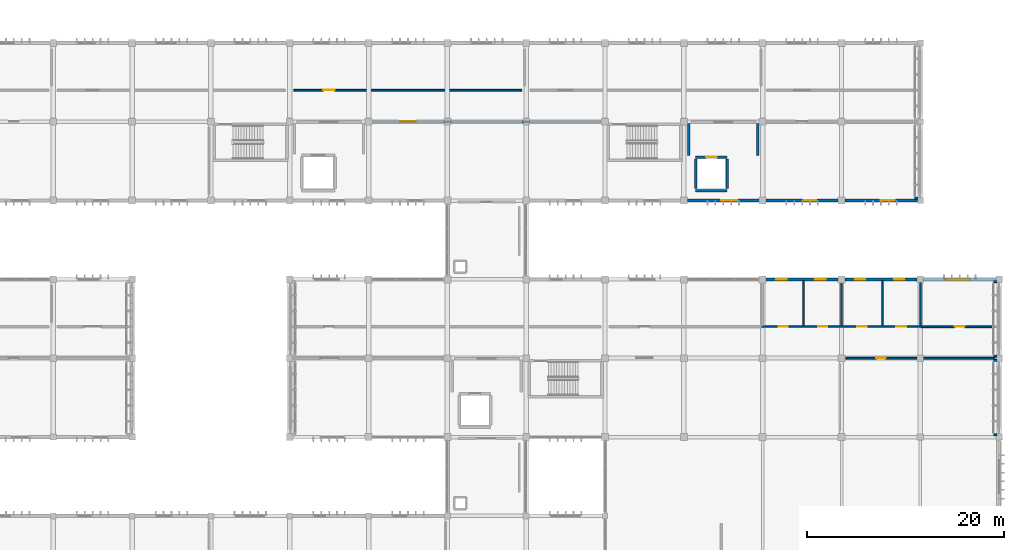
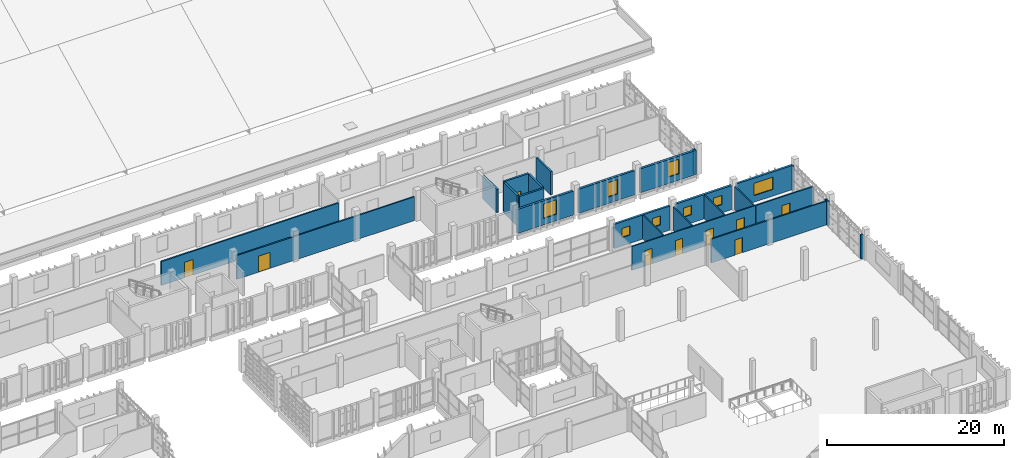
# One storey, part 120 of 137: 26 walls, 9 doors, 8 windows, 17 openings.
"""IFC4 building model written with IfcOpenShell, lengths in metres."""

from ifc_helpers import new_model, si_unit, direction, frame, frame_2d, origin, place, context, subcontext, project, spatial, rectangle, extrude, material, layer, layer_set, type_object, element, fill, save


model = new_model("IFC4")

# Units and contexts
model_context = context("Model", 3, precision=1e-05, world=origin(), true_north=direction((0.0, 1.0)))
body_context = subcontext(model_context, "Body", "Model", "MODEL_VIEW")
ifc_project = project(units=[si_unit("LENGTHUNIT", "METRE"), si_unit("AREAUNIT", "SQUARE_METRE"), si_unit("VOLUMEUNIT", "CUBIC_METRE"), si_unit("PLANEANGLEUNIT", "RADIAN"), si_unit("MASSUNIT", "GRAM", prefix="KILO")], contexts=[model_context])

# Site, building, storey
site_placement = place(None, origin())
site = spatial("IfcSite", under=ifc_project, at=site_placement, CompositionType="ELEMENT")
building_placement = place(site_placement, origin())
building = spatial("IfcBuilding", under=site, at=building_placement, Name="Jelvoka-Kovrelna Polytechnic", CompositionType="ELEMENT")
storey_placement = place(building_placement, frame((0.0, 0.0, 9.60009765625)))
storey = spatial("IfcBuildingStorey", under=building, at=storey_placement, Name="L03", CompositionType="ELEMENT", Elevation=9.60009765625)

# Walls
ifc_material_1 = material(Name="Concrete C35/45", Category="concrete")
ifc_layer_1 = layer(ifc_material_1, 0.219970703125)
ifc_layer_set_1 = layer_set([ifc_layer_1], Name="Concrete C35/45")
wall_type_1 = type_object("IfcWallType", Name="Wall_Compartment_220", PredefinedType="PARTITIONING", material=ifc_layer_set_1)
for number, where, z_axis, x_axis, name in (
    (1, (168.5, 60.550048828125, 0.0), (0.0, 0.0, 1.0), (0.0, 1.0, 0.0), "L03 interior wall 0354"),
    (2, (175.5, 60.550048828125, 0.0), (0.0, 0.0, 1.0), (0.0, 1.0, 0.0), "L03 interior wall 0355"),
):
    element("IfcWall", number, at=place(storey_placement, frame(where, z_axis=z_axis, x_axis=x_axis)), inside=storey, type_object=wall_type_1, Name=name, PredefinedType="PARTITIONING", context=body_context, shape_type="SweptSolid", body=[
        extrude(rectangle(XDim=3.25, YDim=0.219970703125, at=frame_2d((1.625, 0.0))), origin(), (0.0, 0.0, 1.0), 3.224853515625),
    ])
ifc_material_2 = material(Name="Concrete C40/50", Category="concrete")
ifc_layer_2 = layer(ifc_material_2, 0.25)
ifc_layer_set_2 = layer_set([ifc_layer_2], Name="Concrete C40/50")
wall_type_2 = type_object("IfcWallType", Name="Wall_Core_250", PredefinedType="SOLIDWALL", material=ifc_layer_set_2)
wall_1_placement = place(storey_placement, frame((169.199951171875, 57.0, 0.0), z_axis=(0.0, 0.0, 1.0), x_axis=(1.0, 0.0, 0.0)))
element("IfcWall", 3, at=wall_1_placement, inside=storey, type_object=wall_type_2, Name="L03 interior wall 0349", PredefinedType="SOLIDWALL", context=body_context, shape_type="SweptSolid", body=[
    extrude(rectangle(XDim=3.199951171875, YDim=0.25, at=frame_2d((1.60009765625, 0.0))), origin(), (0.0, 0.0, 1.0), 4.199951171875),
])

# Wall, opening, door
wall_2_placement = place(storey_placement, frame((169.199951171875, 60.39990234375, 0.0), z_axis=(0.0, 0.0, 1.0), x_axis=(1.0, 0.0, 0.0)))
wall_2 = element("IfcWall", 4, at=wall_2_placement, inside=storey, type_object=wall_type_2, Name="L03 interior wall 0350", PredefinedType="SOLIDWALL", context=body_context, shape_type="SweptSolid", body=[
    extrude(rectangle(XDim=3.199951171875, YDim=0.25, at=frame_2d((1.60009765625, 0.0))), origin(), (0.0, 0.0, 1.0), 4.199951171875),
])
opening_1_placement = place(wall_2_placement, frame((1.050048828125, 0.0, 0.0)))
opening_1 = element("IfcOpeningElement", 5, at=opening_1_placement, cuts=wall_2, Name="Opening LD-L03-13", PredefinedType="OPENING", context=body_context, shape_type="SweptSolid", body=[
    extrude(rectangle(XDim=1.10009765625, YDim=2.14990234375, at=frame_2d((0.550048828125, 1.074951171875))), frame((0.0, 0.135009765625, 0.0), z_axis=(0.0, -1.0, 0.0), x_axis=(1.0, 0.0, 0.0)), (0.0, 0.0, 1.0), 0.27001953125),
])
ifc_material_3 = material(Name="Brushed stainless steel sliding landing door", Category="steel")
door_type_1 = type_object("IfcDoorType", Name="Door_Lift_LD01", OperationType="NOTDEFINED", PredefinedType="DOOR", material=ifc_material_3)
door_1_placement = place(opening_1_placement, origin())
door_1 = element("IfcDoor", 6, at=door_1_placement, inside=storey, type_object=door_type_1, Name="L03 lift landing sliding door LD-L03-13", OperationType="DOUBLE_DOOR_SLIDING", OverallHeight=2.14990234375, OverallWidth=1.10009765625, PredefinedType="DOOR", context=body_context, shape_type="SweptSolid", body=[
    extrude(rectangle(XDim=1.10009765625, YDim=2.14990234375, at=frame_2d((0.550048828125, 1.074951171875))), frame((0.0, 0.02490234375, 0.0), z_axis=(0.0, -1.0, 0.0), x_axis=(1.0, 0.0, 0.0)), (0.0, 0.0, 1.0), 0.050048828125),
])
fill(opening_1, door_1)

# Walls
for number, where, z_axis, x_axis, name in (
    (7, (169.199951171875, 57.199951171875, 0.0), (0.0, 0.0, 1.0), (0.0, 1.0, 0.0), "L03 interior wall 0351"),
    (8, (172.39990234375, 57.199951171875, 0.0), (0.0, 0.0, 1.0), (0.0, 1.0, 0.0), "L03 interior wall 0352"),
):
    element("IfcWall", number, at=place(storey_placement, frame(where, z_axis=z_axis, x_axis=x_axis)), inside=storey, type_object=wall_type_2, Name=name, PredefinedType="SOLIDWALL", context=body_context, shape_type="SweptSolid", body=[
        extrude(rectangle(XDim=3.0, YDim=0.25, at=frame_2d((1.5, 0.0))), origin(), (0.0, 0.0, 1.0), 4.199951171875),
    ])

# Wall, opening, door
ifc_material_4 = material(Name="Autoclaved aerated concrete blockwork", Category="masonry")
ifc_layer_3 = layer(ifc_material_4, 0.179931640625)
ifc_layer_set_3 = layer_set([ifc_layer_3], Name="Autoclaved aerated concrete blockwork")
wall_type_3 = type_object("IfcWallType", Name="Wall_Corridor_180", PredefinedType="PARTITIONING", material=ifc_layer_set_3)
wall_3_placement = place(storey_placement, frame((184.429931640625, 40.0, 0.0), z_axis=(0.0, 0.0, 1.0), x_axis=(1.0, 0.0, 0.0)))
wall_3 = element("IfcWall", 9, at=wall_3_placement, inside=storey, type_object=wall_type_3, Name="L03 interior wall 1059", PredefinedType="PARTITIONING", context=body_context, shape_type="SweptSolid", body=[
    extrude(rectangle(XDim=15.14013671875, YDim=0.179931640625, at=frame_2d((7.570068359375, 0.0))), origin(), (0.0, 0.0, 1.0), 3.27490234375),
])
opening_2_placement = place(wall_3_placement, frame((3.10009765625, 0.0, 0.0)))
opening_2 = element("IfcOpeningElement", 10, at=opening_2_placement, cuts=wall_3, Name="Opening D-L03-297", PredefinedType="OPENING", context=body_context, shape_type="SweptSolid", body=[
    extrude(rectangle(XDim=0.93994140625, YDim=2.10009765625, at=frame_2d((0.469970703125, 1.050048828125))), frame((0.0, 0.099853515625, 0.0), z_axis=(0.0, -1.0, 0.0), x_axis=(1.0, 0.0, 0.0)), (0.0, 0.0, 1.0), 0.199951171875),
])
ifc_material_5 = material(Name="Hardwood solid-core door", Category="wood")
door_type_2 = type_object("IfcDoorType", Name="Door_Int_D02", OperationType="NOTDEFINED", PredefinedType="DOOR", material=ifc_material_5)
door_2_placement = place(opening_2_placement, origin())
door_2 = element("IfcDoor", 11, at=door_2_placement, inside=storey, type_object=door_type_2, Name="L03 interior door D-L03-297", OperationType="SINGLE_SWING_RIGHT", OverallHeight=2.10009765625, OverallWidth=0.93994140625, PredefinedType="DOOR", context=body_context, shape_type="SweptSolid", body=[
    extrude(rectangle(XDim=0.93994140625, YDim=2.10009765625, at=frame_2d((0.469970703125, 1.050048828125))), frame((0.0, 0.02490234375, 0.0), z_axis=(0.0, -1.0, 0.0), x_axis=(1.0, 0.0, 0.0)), (0.0, 0.0, 1.0), 0.050048828125),
])
fill(opening_2, door_2)

wall_4_placement = place(storey_placement, frame((192.074951171875, 43.199951171875, 0.0), z_axis=(0.0, 0.0, 1.0), x_axis=(1.0, 0.0, 0.0)))
wall_4 = element("IfcWall", 12, at=wall_4_placement, inside=storey, type_object=wall_type_3, Name="L03 interior wall 1062", PredefinedType="PARTITIONING", context=body_context, shape_type="SweptSolid", body=[
    extrude(rectangle(XDim=7.4951171875, YDim=0.179931640625, at=frame_2d((3.74755859375, 0.0))), origin(), (0.0, 0.0, 1.0), 3.2998046875),
])
opening_3_placement = place(wall_4_placement, frame((3.39501953125, 0.0, 0.0)))
opening_3 = element("IfcOpeningElement", 13, at=opening_3_placement, cuts=wall_4, Name="Opening D-L03-300", PredefinedType="OPENING", context=body_context, shape_type="SweptSolid", body=[
    extrude(rectangle(XDim=1.06005859375, YDim=2.10009765625, at=frame_2d((0.530029296875, 1.050048828125))), frame((0.0, 0.099853515625, 0.0), z_axis=(0.0, -1.0, 0.0), x_axis=(1.0, 0.0, 0.0)), (0.0, 0.0, 1.0), 0.199951171875),
])
ifc_material_6 = material(Name="Hardwood solid-core door", Category="wood")
door_type_3 = type_object("IfcDoorType", Name="Door_Int_D05", OperationType="NOTDEFINED", PredefinedType="DOOR", material=ifc_material_6)
door_3_placement = place(opening_3_placement, origin())
door_3 = element("IfcDoor", 14, at=door_3_placement, inside=storey, type_object=door_type_3, Name="L03 interior door D-L03-300", OperationType="SINGLE_SWING_LEFT", OverallHeight=2.10009765625, OverallWidth=1.06005859375, PredefinedType="DOOR", context=body_context, shape_type="SweptSolid", body=[
    extrude(rectangle(XDim=1.06005859375, YDim=2.10009765625, at=frame_2d((0.530029296875, 1.050048828125))), frame((0.0, 0.02490234375, 0.0), z_axis=(0.0, -1.0, 0.0), x_axis=(1.0, 0.0, 0.0)), (0.0, 0.0, 1.0), 0.050048828125),
])
fill(opening_3, door_3)

wall_5_placement = place(storey_placement, frame((136.429931640625, 64.0, 0.0), z_axis=(0.0, 0.0, 1.0), x_axis=(1.0, 0.0, 0.0)))
wall_5 = element("IfcWall", 15, at=wall_5_placement, inside=storey, type_object=wall_type_3, Name="L03 interior wall 1066", PredefinedType="PARTITIONING", context=body_context, shape_type="SweptSolid", body=[
    extrude(rectangle(XDim=23.14013671875, YDim=0.179931640625, at=frame_2d((11.570068359375, 0.0))), origin(), (0.0, 0.0, 1.0), 3.27490234375),
])
opening_4_placement = place(wall_5_placement, frame((2.800048828125, 0.0, 0.0)))
opening_4 = element("IfcOpeningElement", 16, at=opening_4_placement, cuts=wall_5, Name="Opening D-L03-303", PredefinedType="OPENING", context=body_context, shape_type="SweptSolid", body=[
    extrude(rectangle(XDim=1.5400390625, YDim=2.199951171875, at=frame_2d((0.77001953125, 1.10009765625))), frame((0.0, 0.099853515625, 0.0), z_axis=(0.0, -1.0, 0.0), x_axis=(1.0, 0.0, 0.0)), (0.0, 0.0, 1.0), 0.199951171875),
])
ifc_material_7 = material(Name="Paired hardwood fire-resisting library door", Category="wood")
door_type_4 = type_object("IfcDoorType", Name="Door_Fire_FD30_07", OperationType="NOTDEFINED", PredefinedType="DOOR", material=ifc_material_7)
door_4_placement = place(opening_4_placement, origin())
door_4 = element("IfcDoor", 17, at=door_4_placement, inside=storey, type_object=door_type_4, Name="L03 interior door D-L03-303", OperationType="DOUBLE_DOOR_SINGLE_SWING", OverallHeight=2.199951171875, OverallWidth=1.5400390625, PredefinedType="DOOR", context=body_context, shape_type="SweptSolid", body=[
    extrude(rectangle(XDim=1.5400390625, YDim=2.199951171875, at=frame_2d((0.77001953125, 1.10009765625))), frame((0.0, 0.02490234375, 0.0), z_axis=(0.0, -1.0, 0.0), x_axis=(1.0, 0.0, 0.0)), (0.0, 0.0, 1.0), 0.050048828125),
])
fill(opening_4, door_4)

wall_6_placement = place(storey_placement, frame((128.429931640625, 67.199951171875, 0.0), z_axis=(0.0, 0.0, 1.0), x_axis=(1.0, 0.0, 0.0)))
wall_6 = element("IfcWall", 18, at=wall_6_placement, inside=storey, type_object=wall_type_3, Name="L03 interior wall 1072", PredefinedType="PARTITIONING", context=body_context, shape_type="SweptSolid", body=[
    extrude(rectangle(XDim=23.14013671875, YDim=0.179931640625, at=frame_2d((11.570068359375, 0.0))), origin(), (0.0, 0.0, 1.0), 3.2998046875),
])
opening_5_placement = place(wall_6_placement, frame((2.9951171875, 0.0, 0.0)))
opening_5 = element("IfcOpeningElement", 19, at=opening_5_placement, cuts=wall_6, Name="Opening D-L03-308", PredefinedType="OPENING", context=body_context, shape_type="SweptSolid", body=[
    extrude(rectangle(XDim=1.14990234375, YDim=2.14990234375, at=frame_2d((0.574951171875, 1.074951171875))), frame((0.0, 0.099853515625, 0.0), z_axis=(0.0, -1.0, 0.0), x_axis=(1.0, 0.0, 0.0)), (0.0, 0.0, 1.0), 0.199951171875),
])
ifc_material_8 = material(Name="Hardwood fire-resisting laboratory door", Category="wood")
door_type_5 = type_object("IfcDoorType", Name="Door_Fire_FD30_03", OperationType="NOTDEFINED", PredefinedType="DOOR", material=ifc_material_8)
door_5_placement = place(opening_5_placement, origin())
door_5 = element("IfcDoor", 20, at=door_5_placement, inside=storey, type_object=door_type_5, Name="L03 interior door D-L03-308", OperationType="SINGLE_SWING_LEFT", OverallHeight=2.14990234375, OverallWidth=1.14990234375, PredefinedType="DOOR", context=body_context, shape_type="SweptSolid", body=[
    extrude(rectangle(XDim=1.14990234375, YDim=2.14990234375, at=frame_2d((0.574951171875, 1.074951171875))), frame((0.0, 0.02490234375, 0.0), z_axis=(0.0, -1.0, 0.0), x_axis=(1.0, 0.0, 0.0)), (0.0, 0.0, 1.0), 0.050048828125),
])
fill(opening_5, door_5)

# Wall, openings, windows
ifc_material_9 = material(Name="Precast concrete C40/50", Category="concrete")
ifc_layer_4 = layer(ifc_material_9, 0.280029296875)
ifc_layer_set_4 = layer_set([ifc_layer_4], Name="Precast concrete C40/50")
wall_type_4 = type_object("IfcWallType", Name="Wall_Ext_White_280", PredefinedType="STANDARD", material=ifc_layer_set_4)
wall_7_placement = place(storey_placement, frame((176.346923828125, 48.0, 0.0), z_axis=(0.0, 0.0, 1.0), x_axis=(1.0, 0.0, 0.0)))
wall_7 = element("IfcWall", 21, at=wall_7_placement, inside=storey, type_object=wall_type_4, Name="L03 exterior wall 0480", PredefinedType="STANDARD", context=body_context, shape_type="SweptSolid", body=[
    extrude(rectangle(XDim=7.30615234375, YDim=0.280029296875, at=frame_2d((3.653076171875, 0.0))), origin(), (0.0, 0.0, 1.0), 3.324951171875),
])
opening_6_placement = place(wall_7_placement, frame((1.032958984375, 0.0, 1.14990234375)))
opening_6 = element("IfcOpeningElement", 22, at=opening_6_placement, cuts=wall_7, Name="Opening W-L03-191", PredefinedType="OPENING", context=body_context, shape_type="SweptSolid", body=[
    extrude(rectangle(XDim=1.050048828125, YDim=1.25, at=frame_2d((0.52490234375, 0.625))), frame((0.0, 0.150146484375, 0.0), z_axis=(0.0, -1.0, 0.0), x_axis=(1.0, 0.0, 0.0)), (0.0, 0.0, 1.0), 0.300048828125),
])
opening_7_placement = place(wall_7_placement, frame((4.98291015625, 0.0, 1.14990234375)))
opening_7 = element("IfcOpeningElement", 23, at=opening_7_placement, cuts=wall_7, Name="Opening W-L03-192", PredefinedType="OPENING", context=body_context, shape_type="SweptSolid", body=[
    extrude(rectangle(XDim=1.050048828125, YDim=1.25, at=frame_2d((0.52490234375, 0.625))), frame((0.0, 0.150146484375, 0.0), z_axis=(0.0, -1.0, 0.0), x_axis=(1.0, 0.0, 0.0)), (0.0, 0.0, 1.0), 0.300048828125),
])
ifc_material_10 = material(Name="Thermally broken anodised aluminium and low-e glazing", Category="aluminium")
window_type_1 = type_object("IfcWindowType", Name="Win_Casement_W01", PartitioningType="SINGLE_PANEL", PredefinedType="WINDOW", material=ifc_material_10)
window_1_placement = place(opening_6_placement, origin())
window_1 = element("IfcWindow", 24, at=window_1_placement, inside=storey, type_object=window_type_1, Name="L03 aluminium casement window W-L03-191", OverallHeight=1.25, OverallWidth=1.050048828125, PartitioningType="SINGLE_PANEL", PredefinedType="WINDOW", context=body_context, shape_type="SweptSolid", body=[
    extrude(rectangle(XDim=1.050048828125, YDim=1.25, at=frame_2d((0.52490234375, 0.625))), frame((0.0, 0.030029296875, 0.0), z_axis=(0.0, -1.0, 0.0), x_axis=(1.0, 0.0, 0.0)), (0.0, 0.0, 1.0), 0.06005859375),
])
fill(opening_6, window_1)
window_2_placement = place(opening_7_placement, origin())
window_2 = element("IfcWindow", 25, at=window_2_placement, inside=storey, type_object=window_type_1, Name="L03 aluminium casement window W-L03-192", OverallHeight=1.25, OverallWidth=1.050048828125, PartitioningType="SINGLE_PANEL", PredefinedType="WINDOW", context=body_context, shape_type="SweptSolid", body=[
    extrude(rectangle(XDim=1.050048828125, YDim=1.25, at=frame_2d((0.52490234375, 0.625))), frame((0.0, 0.030029296875, 0.0), z_axis=(0.0, -1.0, 0.0), x_axis=(1.0, 0.0, 0.0)), (0.0, 0.0, 1.0), 0.06005859375),
])
fill(opening_7, window_2)

wall_8_placement = place(storey_placement, frame((184.346923828125, 48.0, 0.0), z_axis=(0.0, 0.0, 1.0), x_axis=(1.0, 0.0, 0.0)))
wall_8 = element("IfcWall", 26, at=wall_8_placement, inside=storey, type_object=wall_type_4, Name="L03 exterior wall 0481", PredefinedType="STANDARD", context=body_context, shape_type="SweptSolid", body=[
    extrude(rectangle(XDim=7.3310546875, YDim=0.280029296875, at=frame_2d((3.66552734375, 0.0))), origin(), (0.0, 0.0, 1.0), 3.324951171875),
])
opening_8_placement = place(wall_8_placement, frame((1.032958984375, 0.0, 1.14990234375)))
opening_8 = element("IfcOpeningElement", 27, at=opening_8_placement, cuts=wall_8, Name="Opening W-L03-193", PredefinedType="OPENING", context=body_context, shape_type="SweptSolid", body=[
    extrude(rectangle(XDim=1.050048828125, YDim=1.25, at=frame_2d((0.52490234375, 0.625))), frame((0.0, 0.150146484375, 0.0), z_axis=(0.0, -1.0, 0.0), x_axis=(1.0, 0.0, 0.0)), (0.0, 0.0, 1.0), 0.300048828125),
])
opening_9_placement = place(wall_8_placement, frame((4.98291015625, 0.0, 1.14990234375)))
opening_9 = element("IfcOpeningElement", 28, at=opening_9_placement, cuts=wall_8, Name="Opening W-L03-194", PredefinedType="OPENING", context=body_context, shape_type="SweptSolid", body=[
    extrude(rectangle(XDim=1.050048828125, YDim=1.25, at=frame_2d((0.52490234375, 0.625))), frame((0.0, 0.150146484375, 0.0), z_axis=(0.0, -1.0, 0.0), x_axis=(1.0, 0.0, 0.0)), (0.0, 0.0, 1.0), 0.300048828125),
])
window_3_placement = place(opening_8_placement, origin())
window_3 = element("IfcWindow", 29, at=window_3_placement, inside=storey, type_object=window_type_1, Name="L03 aluminium casement window W-L03-193", OverallHeight=1.25, OverallWidth=1.050048828125, PartitioningType="SINGLE_PANEL", PredefinedType="WINDOW", context=body_context, shape_type="SweptSolid", body=[
    extrude(rectangle(XDim=1.050048828125, YDim=1.25, at=frame_2d((0.52490234375, 0.625))), frame((0.0, 0.030029296875, 0.0), z_axis=(0.0, -1.0, 0.0), x_axis=(1.0, 0.0, 0.0)), (0.0, 0.0, 1.0), 0.06005859375),
])
fill(opening_8, window_3)
window_4_placement = place(opening_9_placement, origin())
window_4 = element("IfcWindow", 30, at=window_4_placement, inside=storey, type_object=window_type_1, Name="L03 aluminium casement window W-L03-194", OverallHeight=1.25, OverallWidth=1.050048828125, PartitioningType="SINGLE_PANEL", PredefinedType="WINDOW", context=body_context, shape_type="SweptSolid", body=[
    extrude(rectangle(XDim=1.050048828125, YDim=1.25, at=frame_2d((0.52490234375, 0.625))), frame((0.0, 0.030029296875, 0.0), z_axis=(0.0, -1.0, 0.0), x_axis=(1.0, 0.0, 0.0)), (0.0, 0.0, 1.0), 0.06005859375),
])
fill(opening_9, window_4)

# Wall, opening, window
wall_9_placement = place(storey_placement, frame((192.322021484375, 48.0, 0.0), z_axis=(0.0, 0.0, 1.0), x_axis=(1.0, 0.0, 0.0)))
wall_9 = element("IfcWall", 31, at=wall_9_placement, inside=storey, type_object=wall_type_4, Name="L03 exterior wall 0482", PredefinedType="STANDARD", context=body_context, shape_type="SweptSolid", body=[
    extrude(rectangle(XDim=7.35595703125, YDim=0.280029296875, at=frame_2d((3.677978515625, 0.0))), origin(), (0.0, 0.0, 1.0), 3.324951171875),
])
opening_10_placement = place(wall_9_placement, frame((2.258056640625, 0.0, 0.89990234375)))
opening_10 = element("IfcOpeningElement", 32, at=opening_10_placement, cuts=wall_9, Name="Opening W-L03-195", PredefinedType="OPENING", context=body_context, shape_type="SweptSolid", body=[
    extrude(rectangle(XDim=2.449951171875, YDim=1.699951171875, at=frame_2d((1.22509765625, 0.85009765625))), frame((0.0, 0.150146484375, 0.0), z_axis=(0.0, -1.0, 0.0), x_axis=(1.0, 0.0, 0.0)), (0.0, 0.0, 1.0), 0.300048828125),
])
ifc_material_11 = material(Name="Thermally broken anodised aluminium and low-e glazing", Category="aluminium")
window_type_2 = type_object("IfcWindowType", Name="Win_Casement_W38", PartitioningType="DOUBLE_PANEL_VERTICAL", PredefinedType="WINDOW", material=ifc_material_11)
window_5_placement = place(opening_10_placement, origin())
window_5 = element("IfcWindow", 33, at=window_5_placement, inside=storey, type_object=window_type_2, Name="L03 aluminium casement window W-L03-195", OverallHeight=1.699951171875, OverallWidth=2.449951171875, PartitioningType="DOUBLE_PANEL_VERTICAL", PredefinedType="WINDOW", context=body_context, shape_type="SweptSolid", body=[
    extrude(rectangle(XDim=2.449951171875, YDim=1.699951171875, at=frame_2d((1.22509765625, 0.85009765625))), frame((0.0, 0.030029296875, 0.0), z_axis=(0.0, -1.0, 0.0), x_axis=(1.0, 0.0, 0.0)), (0.0, 0.0, 1.0), 0.06005859375),
])
fill(opening_10, window_5)

wall_10_placement = place(storey_placement, frame((175.653076171875, 56.0, 0.0), z_axis=(0.0, 0.0, 1.0), x_axis=(-1.0, 0.0, 0.0)))
wall_10 = element("IfcWall", 34, at=wall_10_placement, inside=storey, type_object=wall_type_4, Name="L03 exterior wall 0665", PredefinedType="STANDARD", context=body_context, shape_type="SweptSolid", body=[
    extrude(rectangle(XDim=7.30615234375, YDim=0.280029296875, at=frame_2d((3.653076171875, 0.0))), origin(), (0.0, 0.0, 1.0), 3.324951171875),
])
opening_11_placement = place(wall_10_placement, frame((2.23291015625, 0.0, 0.89990234375)))
opening_11 = element("IfcOpeningElement", 35, at=opening_11_placement, cuts=wall_10, Name="Opening W-L03-335", PredefinedType="OPENING", context=body_context, shape_type="SweptSolid", body=[
    extrude(rectangle(XDim=1.64990234375, YDim=2.0, at=frame_2d((0.824951171875, 1.0))), frame((0.0, 0.150146484375, 0.0), z_axis=(0.0, -1.0, 0.0), x_axis=(1.0, 0.0, 0.0)), (0.0, 0.0, 1.0), 0.300048828125),
])
ifc_material_12 = material(Name="Thermally broken anodised aluminium and low-e glazing", Category="aluminium")
window_type_3 = type_object("IfcWindowType", Name="Win_Casement_W54", PartitioningType="DOUBLE_PANEL_VERTICAL", PredefinedType="WINDOW", material=ifc_material_12)
window_6_placement = place(opening_11_placement, origin())
window_6 = element("IfcWindow", 36, at=window_6_placement, inside=storey, type_object=window_type_3, Name="L03 aluminium casement window W-L03-335", OverallHeight=2.0, OverallWidth=1.64990234375, PartitioningType="DOUBLE_PANEL_VERTICAL", PredefinedType="WINDOW", context=body_context, shape_type="SweptSolid", body=[
    extrude(rectangle(XDim=1.64990234375, YDim=2.0, at=frame_2d((0.824951171875, 1.0))), frame((0.0, 0.030029296875, 0.0), z_axis=(0.0, -1.0, 0.0), x_axis=(1.0, 0.0, 0.0)), (0.0, 0.0, 1.0), 0.06005859375),
])
fill(opening_11, window_6)

wall_11_placement = place(storey_placement, frame((183.653076171875, 56.0, 0.0), z_axis=(0.0, 0.0, 1.0), x_axis=(-1.0, 0.0, 0.0)))
wall_11 = element("IfcWall", 37, at=wall_11_placement, inside=storey, type_object=wall_type_4, Name="L03 exterior wall 0667", PredefinedType="STANDARD", context=body_context, shape_type="SweptSolid", body=[
    extrude(rectangle(XDim=7.30615234375, YDim=0.280029296875, at=frame_2d((3.653076171875, 0.0))), origin(), (0.0, 0.0, 1.0), 3.324951171875),
])
opening_12_placement = place(wall_11_placement, frame((2.23291015625, 0.0, 0.89990234375)))
opening_12 = element("IfcOpeningElement", 38, at=opening_12_placement, cuts=wall_11, Name="Opening W-L03-337", PredefinedType="OPENING", context=body_context, shape_type="SweptSolid", body=[
    extrude(rectangle(XDim=1.25, YDim=2.0, at=frame_2d((0.625, 1.0))), frame((0.0, 0.150146484375, 0.0), z_axis=(0.0, -1.0, 0.0), x_axis=(1.0, 0.0, 0.0)), (0.0, 0.0, 1.0), 0.300048828125),
])
ifc_material_13 = material(Name="Thermally broken anodised aluminium and low-e glazing", Category="aluminium")
window_type_4 = type_object("IfcWindowType", Name="Win_Casement_W52", PartitioningType="SINGLE_PANEL", PredefinedType="WINDOW", material=ifc_material_13)
window_7_placement = place(opening_12_placement, origin())
window_7 = element("IfcWindow", 39, at=window_7_placement, inside=storey, type_object=window_type_4, Name="L03 aluminium casement window W-L03-337", OverallHeight=2.0, OverallWidth=1.25, PartitioningType="SINGLE_PANEL", PredefinedType="WINDOW", context=body_context, shape_type="SweptSolid", body=[
    extrude(rectangle(XDim=1.25, YDim=2.0, at=frame_2d((0.625, 1.0))), frame((0.0, 0.030029296875, 0.0), z_axis=(0.0, -1.0, 0.0), x_axis=(1.0, 0.0, 0.0)), (0.0, 0.0, 1.0), 0.06005859375),
])
fill(opening_12, window_7)

wall_12_placement = place(storey_placement, frame((191.702880859375, 56.0, 0.0), z_axis=(0.0, 0.0, 1.0), x_axis=(-1.0, 0.0, 0.0)))
wall_12 = element("IfcWall", 40, at=wall_12_placement, inside=storey, type_object=wall_type_4, Name="L03 exterior wall 0669", PredefinedType="STANDARD", context=body_context, shape_type="SweptSolid", body=[
    extrude(rectangle(XDim=7.35595703125, YDim=0.280029296875, at=frame_2d((3.677978515625, 0.0))), origin(), (0.0, 0.0, 1.0), 3.324951171875),
])
opening_13_placement = place(wall_12_placement, frame((2.282958984375, 0.0, 0.89990234375)))
opening_13 = element("IfcOpeningElement", 41, at=opening_13_placement, cuts=wall_12, Name="Opening W-L03-339", PredefinedType="OPENING", context=body_context, shape_type="SweptSolid", body=[
    extrude(rectangle(XDim=1.449951171875, YDim=2.0, at=frame_2d((0.72509765625, 1.0))), frame((0.0, 0.150146484375, 0.0), z_axis=(0.0, -1.0, 0.0), x_axis=(1.0, 0.0, 0.0)), (0.0, 0.0, 1.0), 0.300048828125),
])
ifc_material_14 = material(Name="Thermally broken anodised aluminium and low-e glazing", Category="aluminium")
window_type_5 = type_object("IfcWindowType", Name="Win_Casement_W53", PartitioningType="SINGLE_PANEL", PredefinedType="WINDOW", material=ifc_material_14)
window_8_placement = place(opening_13_placement, origin())
window_8 = element("IfcWindow", 42, at=window_8_placement, inside=storey, type_object=window_type_5, Name="L03 aluminium casement window W-L03-339", OverallHeight=2.0, OverallWidth=1.449951171875, PartitioningType="SINGLE_PANEL", PredefinedType="WINDOW", context=body_context, shape_type="SweptSolid", body=[
    extrude(rectangle(XDim=1.449951171875, YDim=2.0, at=frame_2d((0.72509765625, 1.0))), frame((0.0, 0.030029296875, 0.0), z_axis=(0.0, -1.0, 0.0), x_axis=(1.0, 0.0, 0.0)), (0.0, 0.0, 1.0), 0.06005859375),
])
fill(opening_13, window_8)

# Walls
ifc_material_15 = material(Name="Precast concrete C40/50", Category="concrete")
ifc_layer_5 = layer(ifc_material_15, 0.199951171875)
ifc_layer_set_5 = layer_set([ifc_layer_5], Name="Precast concrete C40/50")
wall_type_5 = type_object("IfcWallType", Name="Wall_Parapet_200", PredefinedType="PARAPET", material=ifc_layer_set_5)
for number, where, z_axis, x_axis, name in (
    (43, (199.760009765625, 32.219970703125, 0.0), (0.0, 0.0, 1.0), (-1.0, 0.0, 0.0), "L03 exterior wall 0487"),
    (44, (199.760009765625, 39.780029296875, 0.0), (0.0, 0.0, 1.0), (-1.0, 0.0, 0.0), "L03 exterior wall 0488"),
    (45, (199.760009765625, 40.219970703125, 0.0), (0.0, 0.0, 1.0), (-1.0, 0.0, 0.0), "L03 exterior wall 0489"),
    (46, (199.760009765625, 47.780029296875, 0.0), (0.0, 0.0, 1.0), (-1.0, 0.0, 0.0), "L03 exterior wall 0490"),
    (47, (191.760009765625, 56.219970703125, 0.0), (0.0, 0.0, 1.0), (-1.0, 0.0, 0.0), "L03 exterior wall 0671"),
):
    element("IfcWall", number, at=place(storey_placement, frame(where, z_axis=z_axis, x_axis=x_axis)), inside=storey, type_object=wall_type_5, Name=name, PredefinedType="PARAPET", context=body_context, shape_type="SweptSolid", body=[
        extrude(rectangle(XDim=0.320068359375, YDim=0.199951171875, at=frame_2d((0.16015625, 0.0))), origin(), (0.0, 0.0, 1.0), 3.349853515625),
    ])

# Wall, openings, doors
ifc_material_16 = material(Name="Autoclaved aerated concrete blockwork", Category="masonry")
ifc_layer_6 = layer(ifc_material_16, 0.14990234375)
ifc_layer_set_6 = layer_set([ifc_layer_6], Name="Autoclaved aerated concrete blockwork")
wall_type_6 = type_object("IfcWallType", Name="Wall_Partition_150", PredefinedType="PARTITIONING", material=ifc_layer_set_6)
wall_13_placement = place(storey_placement, frame((175.925048828125, 43.199951171875, 0.0), z_axis=(0.0, 0.0, 1.0), x_axis=(1.0, 0.0, 0.0)))
wall_13 = element("IfcWall", 48, at=wall_13_placement, inside=storey, type_object=wall_type_6, Name="L03 interior wall 1029", PredefinedType="PARTITIONING", context=body_context, shape_type="SweptSolid", body=[
    extrude(rectangle(XDim=16.14990234375, YDim=0.14990234375, at=frame_2d((8.074951171875, 0.0))), origin(), (0.0, 0.0, 1.0), 3.2998046875),
])
opening_14_placement = place(wall_13_placement, frame((1.715087890625, 0.0, 0.0)))
opening_14 = element("IfcOpeningElement", 49, at=opening_14_placement, cuts=wall_13, Name="Opening D-L03-276", PredefinedType="OPENING", context=body_context, shape_type="SweptSolid", body=[
    extrude(rectangle(XDim=0.919921875, YDim=2.1201171875, at=frame_2d((0.4599609375, 1.06005859375))), frame((0.0, 0.0849609375, 0.0), z_axis=(0.0, -1.0, 0.0), x_axis=(1.0, 0.0, 0.0)), (0.0, 0.0, 1.0), 0.169921875),
])
opening_15_placement = place(wall_13_placement, frame((5.695068359375, 0.0, 0.0)))
opening_15 = element("IfcOpeningElement", 50, at=opening_15_placement, cuts=wall_13, Name="Opening D-L03-277", PredefinedType="OPENING", context=body_context, shape_type="SweptSolid", body=[
    extrude(rectangle(XDim=0.919921875, YDim=2.1201171875, at=frame_2d((0.4599609375, 1.06005859375))), frame((0.0, 0.0849609375, 0.0), z_axis=(0.0, -1.0, 0.0), x_axis=(1.0, 0.0, 0.0)), (0.0, 0.0, 1.0), 0.169921875),
])
opening_16_placement = place(wall_13_placement, frame((9.6650390625, 0.0, 0.0)))
opening_16 = element("IfcOpeningElement", 51, at=opening_16_placement, cuts=wall_13, Name="Opening D-L03-278", PredefinedType="OPENING", context=body_context, shape_type="SweptSolid", body=[
    extrude(rectangle(XDim=0.97998046875, YDim=2.1201171875, at=frame_2d((0.489990234375, 1.06005859375))), frame((0.0, 0.0849609375, 0.0), z_axis=(0.0, -1.0, 0.0), x_axis=(1.0, 0.0, 0.0)), (0.0, 0.0, 1.0), 0.169921875),
])
opening_17_placement = place(wall_13_placement, frame((13.655029296875, 0.0, 0.0)))
opening_17 = element("IfcOpeningElement", 52, at=opening_17_placement, cuts=wall_13, Name="Opening D-L03-279", PredefinedType="OPENING", context=body_context, shape_type="SweptSolid", body=[
    extrude(rectangle(XDim=1.0, YDim=2.14990234375, at=frame_2d((0.5, 1.074951171875))), frame((0.0, 0.0849609375, 0.0), z_axis=(0.0, -1.0, 0.0), x_axis=(1.0, 0.0, 0.0)), (0.0, 0.0, 1.0), 0.169921875),
])
ifc_material_17 = material(Name="Hardwood acoustic seminar door", Category="wood")
door_type_6 = type_object("IfcDoorType", Name="Door_Int_D08", OperationType="NOTDEFINED", PredefinedType="DOOR", material=ifc_material_17)
door_6_placement = place(opening_17_placement, origin())
door_6 = element("IfcDoor", 53, at=door_6_placement, inside=storey, type_object=door_type_6, Name="L03 interior door D-L03-279", OperationType="SINGLE_SWING_RIGHT", OverallHeight=2.14990234375, OverallWidth=1.0, PredefinedType="DOOR", context=body_context, shape_type="SweptSolid", body=[
    extrude(rectangle(XDim=1.0, YDim=2.14990234375, at=frame_2d((0.5, 1.074951171875))), frame((0.0, 0.02490234375, 0.0), z_axis=(0.0, -1.0, 0.0), x_axis=(1.0, 0.0, 0.0)), (0.0, 0.0, 1.0), 0.050048828125),
])
fill(opening_17, door_6)
ifc_material_18 = material(Name="Moisture-resistant laminate washroom door", Category="wood")
door_type_7 = type_object("IfcDoorType", Name="Door_Int_D24", OperationType="NOTDEFINED", PredefinedType="DOOR", material=ifc_material_18)
door_7_placement = place(opening_14_placement, origin())
door_7 = element("IfcDoor", 54, at=door_7_placement, inside=storey, type_object=door_type_7, Name="L03 interior door D-L03-276", OperationType="SINGLE_SWING_LEFT", OverallHeight=2.1201171875, OverallWidth=0.919921875, PredefinedType="DOOR", context=body_context, shape_type="SweptSolid", body=[
    extrude(rectangle(XDim=0.919921875, YDim=2.1201171875, at=frame_2d((0.4599609375, 1.06005859375))), frame((0.0, 0.02490234375, 0.0), z_axis=(0.0, -1.0, 0.0), x_axis=(1.0, 0.0, 0.0)), (0.0, 0.0, 1.0), 0.050048828125),
])
fill(opening_14, door_7)
door_8_placement = place(opening_15_placement, origin())
door_8 = element("IfcDoor", 55, at=door_8_placement, inside=storey, type_object=door_type_7, Name="L03 interior door D-L03-277", OperationType="SINGLE_SWING_RIGHT", OverallHeight=2.1201171875, OverallWidth=0.919921875, PredefinedType="DOOR", context=body_context, shape_type="SweptSolid", body=[
    extrude(rectangle(XDim=0.919921875, YDim=2.1201171875, at=frame_2d((0.4599609375, 1.06005859375))), frame((0.0, 0.02490234375, 0.0), z_axis=(0.0, -1.0, 0.0), x_axis=(1.0, 0.0, 0.0)), (0.0, 0.0, 1.0), 0.050048828125),
])
fill(opening_15, door_8)
ifc_material_19 = material(Name="Accessible unisex washroom door", Category="wood")
door_type_8 = type_object("IfcDoorType", Name="Door_Int_D25", OperationType="NOTDEFINED", PredefinedType="DOOR", material=ifc_material_19)
door_9_placement = place(opening_16_placement, origin())
door_9 = element("IfcDoor", 56, at=door_9_placement, inside=storey, type_object=door_type_8, Name="L03 interior door D-L03-278", OperationType="SINGLE_SWING_LEFT", OverallHeight=2.1201171875, OverallWidth=0.97998046875, PredefinedType="DOOR", context=body_context, shape_type="SweptSolid", body=[
    extrude(rectangle(XDim=0.97998046875, YDim=2.1201171875, at=frame_2d((0.489990234375, 1.06005859375))), frame((0.0, 0.02490234375, 0.0), z_axis=(0.0, -1.0, 0.0), x_axis=(1.0, 0.0, 0.0)), (0.0, 0.0, 1.0), 0.050048828125),
])
fill(opening_16, door_9)

# Walls
wall_14_placement = place(storey_placement, frame((180.14990234375, 43.27490234375, 0.0), z_axis=(0.0, 0.0, 1.0), x_axis=(0.0, 1.0, 0.0)))
element("IfcWall", 57, at=wall_14_placement, inside=storey, type_object=wall_type_6, Name="L03 interior wall 1031", PredefinedType="PARTITIONING", context=body_context, shape_type="SweptSolid", body=[
    extrude(rectangle(XDim=4.585205078125, YDim=0.14990234375, at=frame_2d((2.29248046875, 0.0))), origin(), (0.0, 0.0, 1.0), 3.2998046875),
])
wall_15_placement = place(storey_placement, frame((184.0, 43.27490234375, 0.0), z_axis=(0.0, 0.0, 1.0), x_axis=(0.0, 1.0, 0.0)))
element("IfcWall", 58, at=wall_15_placement, inside=storey, type_object=wall_type_6, Name="L03 interior wall 1032", PredefinedType="PARTITIONING", context=body_context, shape_type="SweptSolid", body=[
    extrude(rectangle(XDim=4.375, YDim=0.14990234375, at=frame_2d((2.1875, 0.0))), origin(), (0.0, 0.0, 1.0), 3.224853515625),
])
wall_16_placement = place(storey_placement, frame((188.14990234375, 43.27490234375, 0.0), z_axis=(0.0, 0.0, 1.0), x_axis=(0.0, 1.0, 0.0)))
element("IfcWall", 59, at=wall_16_placement, inside=storey, type_object=wall_type_6, Name="L03 interior wall 1033", PredefinedType="PARTITIONING", context=body_context, shape_type="SweptSolid", body=[
    extrude(rectangle(XDim=4.585205078125, YDim=0.14990234375, at=frame_2d((2.29248046875, 0.0))), origin(), (0.0, 0.0, 1.0), 3.2998046875),
])
wall_17_placement = place(storey_placement, frame((192.0, 43.27490234375, 0.0), z_axis=(0.0, 0.0, 1.0), x_axis=(0.0, 1.0, 0.0)))
element("IfcWall", 60, at=wall_17_placement, inside=storey, type_object=wall_type_6, Name="L03 interior wall 1034", PredefinedType="PARTITIONING", context=body_context, shape_type="SweptSolid", body=[
    extrude(rectangle(XDim=4.400146484375, YDim=0.14990234375, at=frame_2d((2.2001953125, 0.0))), origin(), (0.0, 0.0, 1.0), 3.224853515625),
])

save(model, "model.ifc")
